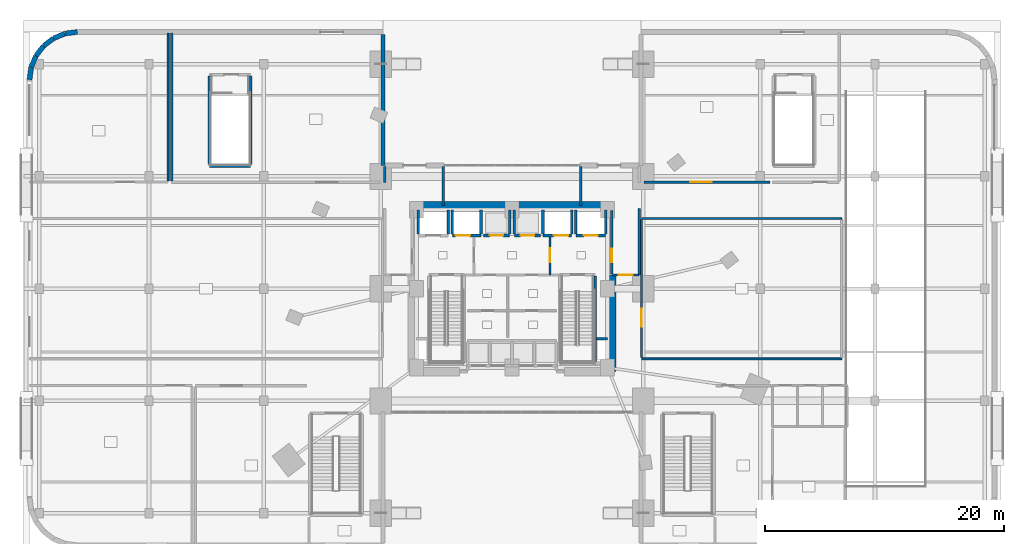
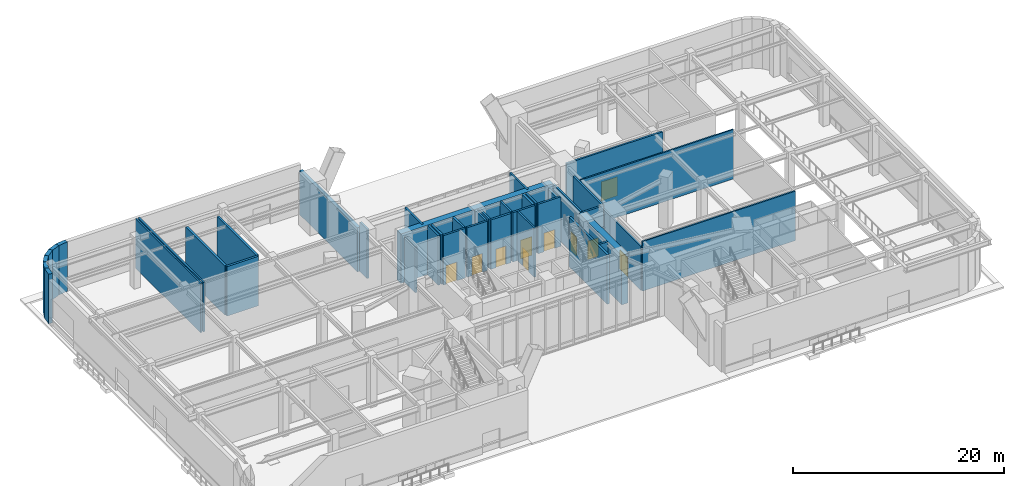
# One storey, part 19 of 27: 42 walls, 10 doors, 10 openings.
"""IFC4 building model written with IfcOpenShell, lengths in metres."""

from ifc_helpers import new_model, si_unit, direction, frame, frame_2d, origin, place, context, subcontext, project, spatial, rectangle, extrude, material, layer, layer_set, type_object, element, fill, save


model = new_model("IFC4")

# Units and contexts
model_context = context("Model", 3, precision=1e-05, world=origin(), true_north=direction((0.0, 1.0)))
body_context = subcontext(model_context, "Body", "Model", "MODEL_VIEW")
ifc_project = project(units=[si_unit("LENGTHUNIT", "METRE"), si_unit("AREAUNIT", "SQUARE_METRE"), si_unit("VOLUMEUNIT", "CUBIC_METRE"), si_unit("PLANEANGLEUNIT", "RADIAN"), si_unit("MASSUNIT", "GRAM", prefix="KILO")], contexts=[model_context])

# Site, building, storey
site_placement = place(None, origin())
site = spatial("IfcSite", under=ifc_project, at=site_placement, CompositionType="ELEMENT")
building_placement = place(site_placement, origin())
building = spatial("IfcBuilding", under=site, at=building_placement, Name="Ndelora Gate Hotel", CompositionType="ELEMENT")
storey_placement = place(building_placement, origin())
storey = spatial("IfcBuildingStorey", under=building, at=storey_placement, Name="L00", CompositionType="ELEMENT", Elevation=0.0)

# Walls
ifc_material_1 = material(Name="Clay Brick Masonry", Category="masonry")
ifc_layer_1 = layer(ifc_material_1, 0.360107421875)
ifc_layer_set_1 = layer_set([ifc_layer_1], Name="Clay Brick Masonry")
wall_type_1 = type_object("IfcWallType", Name="WL-BRICK-360", PredefinedType="SOLIDWALL", material=ifc_layer_set_1)
wall_1_placement = place(storey_placement, frame((-10.800048828125, 10.320068359375, 0.0), z_axis=(0.0, 0.0, 1.0), x_axis=(0.0, 1.0, 0.0)))
element("IfcWall", 1, at=wall_1_placement, inside=storey, type_object=wall_type_1, Name="L00 Portal Arch Brick Return Wall NW-RET", PredefinedType="SOLIDWALL", context=body_context, shape_type="SweptSolid", body=[
    extrude(rectangle(XDim=10.969970703125, YDim=0.360107421875, at=frame_2d((5.48486328125, 0.0))), origin(), (0.0, 0.0, 1.0), 5.10009765625),
])
ifc_layer_2 = layer(ifc_material_1, 0.419921875)
ifc_layer_set_2 = layer_set([ifc_layer_2], Name="Clay Brick Masonry")
wall_type_2 = type_object("IfcWallType", Name="WL-BRICK-420", PredefinedType="SOLIDWALL", material=ifc_layer_set_2)
wall_2_placement = place(storey_placement, frame((-37.435302734375, 21.36376953125, 0.0), z_axis=(0.0, 0.0, 1.0), x_axis=(0.991455091231, 0.130448465198, 0.0)))
element("IfcWall", 2, at=wall_2_placement, inside=storey, type_object=wall_type_2, Name="L00 Exterior Brick Pier-and-Spandrel Wall 16", PredefinedType="SOLIDWALL", context=body_context, shape_type="SweptSolid", body=[
    extrude(rectangle(XDim=1.04443359375, YDim=0.419921875, at=frame_2d((0.522216796875, 0.0))), origin(), (0.0, 0.0, 1.0), 5.719970703125),
])
wall_3_placement = place(storey_placement, frame((-38.39990234375, 20.964111328125, 0.0), z_axis=(0.0, 0.0, 1.0), x_axis=(0.923842970528, 0.382771688877, 0.0)))
element("IfcWall", 3, at=wall_3_placement, inside=storey, type_object=wall_type_2, Name="L00 Exterior Brick Pier-and-Spandrel Wall 17", PredefinedType="SOLIDWALL", context=body_context, shape_type="SweptSolid", body=[
    extrude(rectangle(XDim=1.044189453125, YDim=0.419921875, at=frame_2d((0.52197265625, 0.0))), origin(), (0.0, 0.0, 1.0), 5.719970703125),
])
wall_4_placement = place(storey_placement, frame((-39.228515625, 20.328369140625, 0.0), z_axis=(0.0, 0.0, 1.0), x_axis=(0.793388088797, 0.608716141198, 0.0)))
element("IfcWall", 4, at=wall_4_placement, inside=storey, type_object=wall_type_2, Name="L00 Exterior Brick Pier-and-Spandrel Wall 18", PredefinedType="SOLIDWALL", context=body_context, shape_type="SweptSolid", body=[
    extrude(rectangle(XDim=1.04443359375, YDim=0.419921875, at=frame_2d((0.522216796875, 0.0))), origin(), (0.0, 0.0, 1.0), 5.719970703125),
])
wall_5_placement = place(storey_placement, frame((-39.864013671875, 19.5, 0.0), z_axis=(0.0, 0.0, 1.0), x_axis=(0.608681879412, 0.793414374508, 0.0)))
element("IfcWall", 5, at=wall_5_placement, inside=storey, type_object=wall_type_2, Name="L00 Exterior Brick Pier-and-Spandrel Wall 19", PredefinedType="SOLIDWALL", context=body_context, shape_type="SweptSolid", body=[
    extrude(rectangle(XDim=1.0439453125, YDim=0.419921875, at=frame_2d((0.52197265625, 0.0))), origin(), (0.0, 0.0, 1.0), 5.719970703125),
])
wall_6_placement = place(storey_placement, frame((-40.263671875, 18.535400390625, 0.0), z_axis=(0.0, 0.0, 1.0), x_axis=(0.382771688877, 0.923842970528, 0.0)))
element("IfcWall", 6, at=wall_6_placement, inside=storey, type_object=wall_type_2, Name="L00 Exterior Brick Pier-and-Spandrel Wall 20", PredefinedType="SOLIDWALL", context=body_context, shape_type="SweptSolid", body=[
    extrude(rectangle(XDim=1.044189453125, YDim=0.419921875, at=frame_2d((0.52197265625, 0.0))), origin(), (0.0, 0.0, 1.0), 5.719970703125),
])
wall_7_placement = place(storey_placement, frame((-40.39990234375, 17.5, 0.0), z_axis=(0.0, 0.0, 1.0), x_axis=(0.130448465198, 0.991455091231, 0.0)))
element("IfcWall", 7, at=wall_7_placement, inside=storey, type_object=wall_type_2, Name="L00 Exterior Brick Pier-and-Spandrel Wall 21", PredefinedType="SOLIDWALL", context=body_context, shape_type="SweptSolid", body=[
    extrude(rectangle(XDim=1.04443359375, YDim=0.419921875, at=frame_2d((0.522216796875, 0.0))), origin(), (0.0, 0.0, 1.0), 5.719970703125),
])
ifc_material_2 = material(Name="Concrete C60/75", Category="concrete")
ifc_layer_3 = layer(ifc_material_2, 0.699951171875)
ifc_layer_set_3 = layer_set([ifc_layer_3], Name="Concrete C60/75")
wall_type_3 = type_object("IfcWallType", Name="WL-CORE-700", PredefinedType="SHEAR", material=ifc_layer_set_3)
wall_8_placement = place(storey_placement, frame((-8.35009765625, 6.949951171875, 0.0), z_axis=(0.0, 0.0, 1.0), x_axis=(1.0, 0.0, 0.0)))
element("IfcWall", 8, at=wall_8_placement, inside=storey, type_object=wall_type_3, Name="L00 Core Shear Wall N", PredefinedType="SHEAR", context=body_context, shape_type="SweptSolid", body=[
    extrude(rectangle(XDim=16.7001953125, YDim=0.699951171875, at=frame_2d((8.35009765625, 0.0))), origin(), (0.0, 0.0, 1.0), 5.719970703125),
])
wall_9_placement = place(storey_placement, frame((8.35009765625, -6.949951171875, 0.0), z_axis=(0.0, 0.0, 1.0), x_axis=(0.0, 1.0, 0.0)))
element("IfcWall", 9, at=wall_9_placement, inside=storey, type_object=wall_type_3, Name="L00 Core Shear Wall E", PredefinedType="SHEAR", context=body_context, shape_type="SweptSolid", body=[
    extrude(rectangle(XDim=8.099853515625, YDim=0.699951171875, at=frame_2d((4.0498046875, 0.0))), origin(), (0.0, 0.0, 1.0), 5.719970703125),
])

# Wall, opening, door
ifc_material_3 = material(Name="Concrete C40/50", Category="concrete")
ifc_layer_4 = layer(ifc_material_3, 0.199951171875)
ifc_layer_set_4 = layer_set([ifc_layer_4], Name="Concrete C40/50")
wall_type_4 = type_object("IfcWallType", Name="WL-FIRE-200", PredefinedType="PARTITIONING", material=ifc_layer_set_4)
wall_10_placement = place(storey_placement, frame((3.179931640625, 1.14990234375, 0.0), z_axis=(0.0, 0.0, 1.0), x_axis=(0.0, 1.0, 0.0)))
wall_10 = element("IfcWall", 10, at=wall_10_placement, inside=storey, type_object=wall_type_4, Name="L00 Interior Wall IW-2", PredefinedType="PARTITIONING", context=body_context, shape_type="SweptSolid", body=[
    extrude(rectangle(XDim=3.300048828125, YDim=0.199951171875, at=frame_2d((1.64990234375, 0.0))), origin(), (0.0, 0.0, 1.0), 5.719970703125),
])
opening_1_placement = place(wall_10_placement, frame((1.080078125, 0.0, 0.0)))
opening_1 = element("IfcOpeningElement", 11, at=opening_1_placement, cuts=wall_10, Name="Opening FD1", PredefinedType="OPENING", context=body_context, shape_type="SweptSolid", body=[
    extrude(rectangle(XDim=1.14990234375, YDim=2.14990234375, at=frame_2d((0.574951171875, 1.074951171875))), frame((0.0, 0.10986328125, 0.0), z_axis=(0.0, -1.0, 0.0), x_axis=(1.0, 0.0, 0.0)), (0.0, 0.0, 1.0), 0.219970703125),
])
ifc_material_4 = material(Name="Fire-Rated Timber-Veneer Steel Core", Category="steel")
door_type_1 = type_object("IfcDoorType", Name="DR-FD60", OperationType="SINGLE_SWING_LEFT", PredefinedType="DOOR", material=ifc_material_4)
door_1_placement = place(opening_1_placement, origin())
door_1 = element("IfcDoor", 12, at=door_1_placement, inside=storey, type_object=door_type_1, Name="L00 Firefighting Lobby East Door", OperationType="SINGLE_SWING_LEFT", OverallHeight=2.14990234375, OverallWidth=1.14990234375, PredefinedType="DOOR", context=body_context, shape_type="SweptSolid", body=[
    extrude(rectangle(XDim=1.14990234375, YDim=2.14990234375, at=frame_2d((0.574951171875, 1.074951171875))), frame((0.0, 0.02490234375, 0.0), z_axis=(0.0, -1.0, 0.0), x_axis=(1.0, 0.0, 0.0)), (0.0, 0.0, 1.0), 0.050048828125),
])
fill(opening_1, door_1)

wall_11_placement = place(storey_placement, frame((8.35009765625, 1.25, 0.0), z_axis=(0.0, 0.0, 1.0), x_axis=(0.0, 1.0, 0.0)))
wall_11 = element("IfcWall", 13, at=wall_11_placement, inside=storey, type_object=wall_type_4, Name="L00 Interior Wall IW-2", PredefinedType="PARTITIONING", context=body_context, shape_type="SweptSolid", body=[
    extrude(rectangle(XDim=5.300048828125, YDim=0.199951171875, at=frame_2d((2.64990234375, 0.0))), origin(), (0.0, 0.0, 1.0), 5.719970703125),
])
opening_2_placement = place(wall_11_placement, frame((0.949951171875, 0.0, 0.0)))
opening_2 = element("IfcOpeningElement", 14, at=opening_2_placement, cuts=wall_11, Name="Opening FD1", PredefinedType="OPENING", context=body_context, shape_type="SweptSolid", body=[
    extrude(rectangle(XDim=1.14990234375, YDim=2.14990234375, at=frame_2d((0.574951171875, 1.074951171875))), frame((0.0, 0.10986328125, 0.0), z_axis=(0.0, -1.0, 0.0), x_axis=(1.0, 0.0, 0.0)), (0.0, 0.0, 1.0), 0.219970703125),
])
door_2_placement = place(opening_2_placement, origin())
door_2 = element("IfcDoor", 15, at=door_2_placement, inside=storey, type_object=door_type_1, Name="L00 Firefighting Lobby East Corridor Door", OperationType="SINGLE_SWING_RIGHT", OverallHeight=2.14990234375, OverallWidth=1.14990234375, PredefinedType="DOOR", context=body_context, shape_type="SweptSolid", body=[
    extrude(rectangle(XDim=1.14990234375, YDim=2.14990234375, at=frame_2d((0.574951171875, 1.074951171875))), frame((0.0, 0.02490234375, 0.0), z_axis=(0.0, -1.0, 0.0), x_axis=(1.0, 0.0, 0.0)), (0.0, 0.0, 1.0), 0.050048828125),
])
fill(opening_2, door_2)

# Wall
wall_12_placement = place(storey_placement, frame((-28.5, 21.39990234375, 0.0), z_axis=(0.0, 0.0, 1.0), x_axis=(0.0, -1.0, 0.0)))
element("IfcWall", 16, at=wall_12_placement, inside=storey, type_object=wall_type_4, Name="L00 Interior Wall IW-2", PredefinedType="PARTITIONING", context=body_context, shape_type="SweptSolid", body=[
    extrude(rectangle(XDim=12.3798828125, YDim=0.199951171875, at=frame_2d((6.18994140625, 0.0))), origin(), (0.0, 0.0, 1.0), 5.719970703125),
])

# Wall, opening, door
wall_13_placement = place(storey_placement, frame((11.050048828125, 8.919921875, 0.0), z_axis=(0.0, 0.0, 1.0), x_axis=(1.0, 0.0, 0.0)))
wall_13 = element("IfcWall", 17, at=wall_13_placement, inside=storey, type_object=wall_type_4, Name="L00 Interior Wall IW-2", PredefinedType="PARTITIONING", context=body_context, shape_type="SweptSolid", body=[
    extrude(rectangle(XDim=10.550048828125, YDim=0.199951171875, at=frame_2d((5.27490234375, 0.0))), origin(), (0.0, 0.0, 1.0), 5.719970703125),
])
opening_3_placement = place(wall_13_placement, frame((3.860107421875, 0.0, 0.0)))
opening_3 = element("IfcOpeningElement", 18, at=opening_3_placement, cuts=wall_13, Name="Opening FD2", PredefinedType="OPENING", context=body_context, shape_type="SweptSolid", body=[
    extrude(rectangle(XDim=1.800048828125, YDim=2.199951171875, at=frame_2d((0.89990234375, 1.10009765625))), frame((0.0, 0.10986328125, 0.0), z_axis=(0.0, -1.0, 0.0), x_axis=(1.0, 0.0, 0.0)), (0.0, 0.0, 1.0), 0.219970703125),
])
ifc_material_5 = material(Name="Fire-Rated Double Exit Door", Category="wood")
door_type_2 = type_object("IfcDoorType", Name="DR-DBL-1800", OperationType="DOUBLE_DOOR_SINGLE_SWING", PredefinedType="DOOR", material=ifc_material_5)
door_3_placement = place(opening_3_placement, origin())
door_3 = element("IfcDoor", 19, at=door_3_placement, inside=storey, type_object=door_type_2, Name="L00 Brasserie Production Kitchen Door", OperationType="DOUBLE_DOOR_SINGLE_SWING", OverallHeight=2.199951171875, OverallWidth=1.800048828125, PredefinedType="DOOR", context=body_context, shape_type="SweptSolid", body=[
    extrude(rectangle(XDim=1.800048828125, YDim=2.199951171875, at=frame_2d((0.89990234375, 1.10009765625))), frame((0.0, 0.02490234375, 0.0), z_axis=(0.0, -1.0, 0.0), x_axis=(1.0, 0.0, 0.0)), (0.0, 0.0, 1.0), 0.050048828125),
])
fill(opening_3, door_3)

# Walls
wall_14_placement = place(storey_placement, frame((-5.75, 6.97998046875, 0.0), z_axis=(0.0, 0.0, 1.0), x_axis=(0.0, 1.0, 0.0)))
element("IfcWall", 20, at=wall_14_placement, inside=storey, type_object=wall_type_4, Name="L00 Interior Wall IW-2", PredefinedType="PARTITIONING", context=body_context, shape_type="SweptSolid", body=[
    extrude(rectangle(XDim=3.27001953125, YDim=0.199951171875, at=frame_2d((1.635009765625, 0.0))), origin(), (0.0, 0.0, 1.0), 5.719970703125),
])
wall_15_placement = place(storey_placement, frame((-10.64990234375, 10.25, 0.0), z_axis=(0.0, 0.0, 1.0), x_axis=(0.0, -1.0, 0.0)))
element("IfcWall", 21, at=wall_15_placement, inside=storey, type_object=wall_type_4, Name="L00 Interior Wall IW-2", PredefinedType="PARTITIONING", context=body_context, shape_type="SweptSolid", body=[
    extrude(rectangle(XDim=1.3701171875, YDim=0.199951171875, at=frame_2d((0.68505859375, 0.0))), origin(), (0.0, 0.0, 1.0), 5.719970703125),
])
wall_16_placement = place(storey_placement, frame((5.75, 10.25, 0.0), z_axis=(0.0, 0.0, 1.0), x_axis=(0.0, -1.0, 0.0)))
element("IfcWall", 22, at=wall_16_placement, inside=storey, type_object=wall_type_4, Name="L00 Interior Wall IW-2", PredefinedType="PARTITIONING", context=body_context, shape_type="SweptSolid", body=[
    extrude(rectangle(XDim=3.27001953125, YDim=0.199951171875, at=frame_2d((1.635009765625, 0.0))), origin(), (0.0, 0.0, 1.0), 5.719970703125),
])
wall_17_placement = place(storey_placement, frame((10.64990234375, 1.14990234375, 0.0), z_axis=(0.0, 0.0, 1.0), x_axis=(0.0, 1.0, 0.0)))
element("IfcWall", 23, at=wall_17_placement, inside=storey, type_object=wall_type_4, Name="L00 Interior Wall IW-2", PredefinedType="PARTITIONING", context=body_context, shape_type="SweptSolid", body=[
    extrude(rectangle(XDim=5.570068359375, YDim=0.199951171875, at=frame_2d((2.78515625, 0.0))), origin(), (0.0, 0.0, 1.0), 5.719970703125),
])

# Wall, opening, door
wall_18_placement = place(storey_placement, frame((8.39990234375, 1.14990234375, 0.0), z_axis=(0.0, 0.0, 1.0), x_axis=(1.0, 0.0, 0.0)))
wall_18 = element("IfcWall", 24, at=wall_18_placement, inside=storey, type_object=wall_type_4, Name="L00 Interior Wall IW-2", PredefinedType="PARTITIONING", context=body_context, shape_type="SweptSolid", body=[
    extrude(rectangle(XDim=2.25, YDim=0.199951171875, at=frame_2d((1.125, 0.0))), origin(), (0.0, 0.0, 1.0), 5.719970703125),
])
opening_4_placement = place(wall_18_placement, frame((0.550048828125, 0.0, 0.0)))
opening_4 = element("IfcOpeningElement", 25, at=opening_4_placement, cuts=wall_18, Name="Opening FD1", PredefinedType="OPENING", context=body_context, shape_type="SweptSolid", body=[
    extrude(rectangle(XDim=1.14990234375, YDim=2.14990234375, at=frame_2d((0.574951171875, 1.074951171875))), frame((0.0, 0.10986328125, 0.0), z_axis=(0.0, -1.0, 0.0), x_axis=(1.0, 0.0, 0.0)), (0.0, 0.0, 1.0), 0.219970703125),
])
door_4_placement = place(opening_4_placement, origin())
door_4 = element("IfcDoor", 26, at=door_4_placement, inside=storey, type_object=door_type_1, Name="L00 Core Protected Exit Passage East Door", OperationType="SINGLE_SWING_RIGHT", OverallHeight=2.14990234375, OverallWidth=1.14990234375, PredefinedType="DOOR", context=body_context, shape_type="SweptSolid", body=[
    extrude(rectangle(XDim=1.14990234375, YDim=2.14990234375, at=frame_2d((0.574951171875, 1.074951171875))), frame((0.0, 0.02490234375, 0.0), z_axis=(0.0, -1.0, 0.0), x_axis=(1.0, 0.0, 0.0)), (0.0, 0.0, 1.0), 0.050048828125),
])
fill(opening_4, door_4)

# Walls
ifc_material_6 = material(Name="Fire-Rated Gypsum Stud Partition", Category="gypsum")
ifc_layer_5 = layer(ifc_material_6, 0.159912109375)
ifc_layer_set_5 = layer_set([ifc_layer_5], Name="Fire-Rated Gypsum Stud Partition")
wall_type_5 = type_object("IfcWallType", Name="WL-PART-160", PredefinedType="PARTITIONING", material=ifc_layer_set_5)
for number, where, z_axis, x_axis, name in (
    (27, (27.60009765625, 5.8798828125, 0.0), (0.0, 0.0, 1.0), (-1.0, 0.0, 0.0), "L00 Interior Wall IW-4"),
    (28, (10.85009765625, -5.8798828125, 0.0), (0.0, 0.0, 1.0), (1.0, 0.0, 0.0), "L00 Interior Wall IW-4"),
):
    element("IfcWall", number, at=place(storey_placement, frame(where, z_axis=z_axis, x_axis=x_axis)), inside=storey, type_object=wall_type_5, Name=name, PredefinedType="PARTITIONING", context=body_context, shape_type="SweptSolid", body=[
        extrude(rectangle(XDim=16.75, YDim=0.159912109375, at=frame_2d((8.375, 0.0))), origin(), (0.0, 0.0, 1.0), 5.719970703125),
    ])

# Wall, opening, door
wall_19_placement = place(storey_placement, frame((10.85009765625, 5.780029296875, 0.0), z_axis=(0.0, 0.0, 1.0), x_axis=(0.0, -1.0, 0.0)))
wall_19 = element("IfcWall", 29, at=wall_19_placement, inside=storey, type_object=wall_type_5, Name="L00 Interior Wall IW-4", PredefinedType="PARTITIONING", context=body_context, shape_type="SweptSolid", body=[
    extrude(rectangle(XDim=11.56005859375, YDim=0.159912109375, at=frame_2d((5.780029296875, 0.0))), origin(), (0.0, 0.0, 1.0), 5.10009765625),
])
opening_5_placement = place(wall_19_placement, frame((7.4599609375, 0.0, 0.0)))
opening_5 = element("IfcOpeningElement", 30, at=opening_5_placement, cuts=wall_19, Name="Opening D06", PredefinedType="OPENING", context=body_context, shape_type="SweptSolid", body=[
    extrude(rectangle(XDim=1.5, YDim=2.199951171875, at=frame_2d((0.75, 1.10009765625))), frame((0.0, 0.08984375, 0.0), z_axis=(0.0, -1.0, 0.0), x_axis=(1.0, 0.0, 0.0)), (0.0, 0.0, 1.0), 0.179931640625),
])
ifc_material_7 = material(Name="Podium Salon Double Leaf Door", Category="wood")
door_type_3 = type_object("IfcDoorType", Name="DR-POD-1500", OperationType="DOUBLE_DOOR_SINGLE_SWING", PredefinedType="DOOR", material=ifc_material_7)
door_5_placement = place(opening_5_placement, origin())
door_5 = element("IfcDoor", 31, at=door_5_placement, inside=storey, type_object=door_type_3, Name="L00 All-Day Highland Brasserie Dining Door", OperationType="DOUBLE_DOOR_SINGLE_SWING", OverallHeight=2.199951171875, OverallWidth=1.5, PredefinedType="DOOR", context=body_context, shape_type="SweptSolid", body=[
    extrude(rectangle(XDim=1.5, YDim=2.199951171875, at=frame_2d((0.75, 1.10009765625))), frame((0.0, 0.02490234375, 0.0), z_axis=(0.0, -1.0, 0.0), x_axis=(1.0, 0.0, 0.0)), (0.0, 0.0, 1.0), 0.050048828125),
])
fill(opening_5, door_5)

# Walls
wall_20_placement = place(storey_placement, frame((-28.800048828125, 9.02001953125, 0.0), z_axis=(0.0, 0.0, 1.0), x_axis=(0.0, 1.0, 0.0)))
element("IfcWall", 32, at=wall_20_placement, inside=storey, type_object=wall_type_5, Name="L00 Interior Wall IW-4", PredefinedType="PARTITIONING", context=body_context, shape_type="SweptSolid", body=[
    extrude(rectangle(XDim=12.3798828125, YDim=0.159912109375, at=frame_2d((6.18994140625, 0.0))), origin(), (0.0, 0.0, 1.0), 5.719970703125),
])
ifc_layer_6 = layer(ifc_material_3, 0.219970703125)
ifc_layer_set_6 = layer_set([ifc_layer_6], Name="Concrete C40/50")
wall_type_6 = type_object("IfcWallType", Name="WL-SHAFT-220", PredefinedType="PARTITIONING", material=ifc_layer_set_6)
wall_21_placement = place(storey_placement, frame((7.090087890625, -4.199951171875, 0.0), z_axis=(0.0, 0.0, 1.0), x_axis=(1.0, 0.0, 0.0)))
element("IfcWall", 33, at=wall_21_placement, inside=storey, type_object=wall_type_6, Name="L00 Interior Wall IW-1", PredefinedType="PARTITIONING", context=body_context, shape_type="SweptSolid", body=[
    extrude(rectangle(XDim=0.909912109375, YDim=0.219970703125, at=frame_2d((0.455078125, 0.0))), origin(), (0.0, 0.0, 1.0), 5.719970703125),
])
wall_22_placement = place(storey_placement, frame((-7.85009765625, 4.570068359375, 0.0), z_axis=(0.0, 0.0, 1.0), x_axis=(0.0, 1.0, 0.0)))
element("IfcWall", 34, at=wall_22_placement, inside=storey, type_object=wall_type_6, Name="L00 Interior Wall IW-1", PredefinedType="PARTITIONING", context=body_context, shape_type="SweptSolid", body=[
    extrude(rectangle(XDim=2.030029296875, YDim=0.219970703125, at=frame_2d((1.01513671875, 0.0))), origin(), (0.0, 0.0, 1.0), 5.300048828125),
])
wall_23_placement = place(storey_placement, frame((-5.35009765625, 4.570068359375, 0.0), z_axis=(0.0, 0.0, 1.0), x_axis=(0.0, 1.0, 0.0)))
element("IfcWall", 35, at=wall_23_placement, inside=storey, type_object=wall_type_6, Name="L00 Interior Wall IW-1", PredefinedType="PARTITIONING", context=body_context, shape_type="SweptSolid", body=[
    extrude(rectangle(XDim=2.030029296875, YDim=0.219970703125, at=frame_2d((1.01513671875, 0.0))), origin(), (0.0, 0.0, 1.0), 5.719970703125),
])

# Wall, opening, door
wall_24_placement = place(storey_placement, frame((5.35009765625, 4.449951171875, 0.0), z_axis=(0.0, 0.0, 1.0), x_axis=(1.0, 0.0, 0.0)))
wall_24 = element("IfcWall", 36, at=wall_24_placement, inside=storey, type_object=wall_type_6, Name="L00 Interior Wall IW-1", PredefinedType="PARTITIONING", context=body_context, shape_type="SweptSolid", body=[
    extrude(rectangle(XDim=2.5, YDim=0.219970703125, at=frame_2d((1.25, 0.0))), origin(), (0.0, 0.0, 1.0), 5.719970703125),
])
opening_6_placement = place(wall_24_placement, frame((0.659912109375, 0.0, 0.0)))
opening_6 = element("IfcOpeningElement", 37, at=opening_6_placement, cuts=wall_24, Name="Opening LD5", PredefinedType="OPENING", context=body_context, shape_type="SweptSolid", body=[
    extrude(rectangle(XDim=1.179931640625, YDim=2.14990234375, at=frame_2d((0.58984375, 1.074951171875))), frame((0.0, 0.1201171875, 0.0), z_axis=(0.0, -1.0, 0.0), x_axis=(1.0, 0.0, 0.0)), (0.0, 0.0, 1.0), 0.239990234375),
])
ifc_material_8 = material(Name="Firefighting Lift Stainless Sliding Landing Door", Category="metal")
door_type_4 = type_object("IfcDoorType", Name="DR-LD5", OperationType="DOUBLE_DOOR_SLIDING", PredefinedType="DOOR", material=ifc_material_8)
door_6_placement = place(opening_6_placement, origin())
door_6 = element("IfcDoor", 38, at=door_6_placement, inside=storey, type_object=door_type_4, Name="L00 Lift Landing Sliding Door FFL2", OperationType="DOUBLE_DOOR_SLIDING", OverallHeight=2.14990234375, OverallWidth=1.179931640625, PredefinedType="DOOR", context=body_context, shape_type="SweptSolid", body=[
    extrude(rectangle(XDim=1.179931640625, YDim=2.14990234375, at=frame_2d((0.58984375, 1.074951171875))), frame((0.0, 0.02490234375, 0.0), z_axis=(0.0, -1.0, 0.0), x_axis=(1.0, 0.0, 0.0)), (0.0, 0.0, 1.0), 0.050048828125),
])
fill(opening_6, door_6)

# Walls
wall_25_placement = place(storey_placement, frame((5.35009765625, 4.570068359375, 0.0), z_axis=(0.0, 0.0, 1.0), x_axis=(0.0, 1.0, 0.0)))
element("IfcWall", 39, at=wall_25_placement, inside=storey, type_object=wall_type_6, Name="L00 Interior Wall IW-1", PredefinedType="PARTITIONING", context=body_context, shape_type="SweptSolid", body=[
    extrude(rectangle(XDim=2.030029296875, YDim=0.219970703125, at=frame_2d((1.01513671875, 0.0))), origin(), (0.0, 0.0, 1.0), 5.719970703125),
])
wall_26_placement = place(storey_placement, frame((7.85009765625, 4.570068359375, 0.0), z_axis=(0.0, 0.0, 1.0), x_axis=(0.0, 1.0, 0.0)))
element("IfcWall", 40, at=wall_26_placement, inside=storey, type_object=wall_type_6, Name="L00 Interior Wall IW-1", PredefinedType="PARTITIONING", context=body_context, shape_type="SweptSolid", body=[
    extrude(rectangle(XDim=2.030029296875, YDim=0.219970703125, at=frame_2d((1.01513671875, 0.0))), origin(), (0.0, 0.0, 1.0), 5.300048828125),
])

# Wall, opening, door
wall_27_placement = place(storey_placement, frame((-5.0, 4.449951171875, 0.0), z_axis=(0.0, 0.0, 1.0), x_axis=(1.0, 0.0, 0.0)))
wall_27 = element("IfcWall", 41, at=wall_27_placement, inside=storey, type_object=wall_type_6, Name="L00 Interior Wall IW-1", PredefinedType="PARTITIONING", context=body_context, shape_type="SweptSolid", body=[
    extrude(rectangle(XDim=2.39990234375, YDim=0.219970703125, at=frame_2d((1.199951171875, 0.0))), origin(), (0.0, 0.0, 1.0), 5.719970703125),
])
opening_7_placement = place(wall_27_placement, frame((0.280029296875, 0.0, 0.0)))
opening_7 = element("IfcOpeningElement", 42, at=opening_7_placement, cuts=wall_27, Name="Opening LD6", PredefinedType="OPENING", context=body_context, shape_type="SweptSolid", body=[
    extrude(rectangle(XDim=1.219970703125, YDim=2.14990234375, at=frame_2d((0.60986328125, 1.074951171875))), frame((0.0, 0.1201171875, 0.0), z_axis=(0.0, -1.0, 0.0), x_axis=(1.0, 0.0, 0.0)), (0.0, 0.0, 1.0), 0.239990234375),
])
ifc_material_9 = material(Name="Heavy-Duty Service Lift Sliding Landing Door", Category="wood")
door_type_5 = type_object("IfcDoorType", Name="DR-LD6", OperationType="DOUBLE_DOOR_SLIDING", PredefinedType="DOOR", material=ifc_material_9)
door_7_placement = place(opening_7_placement, origin())
door_7 = element("IfcDoor", 43, at=door_7_placement, inside=storey, type_object=door_type_5, Name="L00 Lift Landing Sliding Door SVL1", OperationType="DOUBLE_DOOR_SLIDING", OverallHeight=2.14990234375, OverallWidth=1.219970703125, PredefinedType="DOOR", context=body_context, shape_type="SweptSolid", body=[
    extrude(rectangle(XDim=1.219970703125, YDim=2.14990234375, at=frame_2d((0.60986328125, 1.074951171875))), frame((0.0, 0.02490234375, 0.0), z_axis=(0.0, -1.0, 0.0), x_axis=(1.0, 0.0, 0.0)), (0.0, 0.0, 1.0), 0.050048828125),
])
fill(opening_7, door_7)

# Walls
for number, where, z_axis, x_axis, name in (
    (44, (-5.0, 4.570068359375, 0.0), (0.0, 0.0, 1.0), (0.0, 1.0, 0.0), "L00 Interior Wall IW-1"),
    (45, (-2.60009765625, 4.570068359375, 0.0), (0.0, 0.0, 1.0), (0.0, 1.0, 0.0), "L00 Interior Wall IW-1"),
):
    element("IfcWall", number, at=place(storey_placement, frame(where, z_axis=z_axis, x_axis=x_axis)), inside=storey, type_object=wall_type_6, Name=name, PredefinedType="PARTITIONING", context=body_context, shape_type="SweptSolid", body=[
        extrude(rectangle(XDim=2.030029296875, YDim=0.219970703125, at=frame_2d((1.01513671875, 0.0))), origin(), (0.0, 0.0, 1.0), 5.719970703125),
    ])

# Wall, opening, door
wall_28_placement = place(storey_placement, frame((2.60009765625, 4.449951171875, 0.0), z_axis=(0.0, 0.0, 1.0), x_axis=(1.0, 0.0, 0.0)))
wall_28 = element("IfcWall", 46, at=wall_28_placement, inside=storey, type_object=wall_type_6, Name="L00 Interior Wall IW-1", PredefinedType="PARTITIONING", context=body_context, shape_type="SweptSolid", body=[
    extrude(rectangle(XDim=2.39990234375, YDim=0.219970703125, at=frame_2d((1.199951171875, 0.0))), origin(), (0.0, 0.0, 1.0), 5.719970703125),
])
opening_8_placement = place(wall_28_placement, frame((0.89990234375, 0.0, 0.0)))
opening_8 = element("IfcOpeningElement", 47, at=opening_8_placement, cuts=wall_28, Name="Opening LD6", PredefinedType="OPENING", context=body_context, shape_type="SweptSolid", body=[
    extrude(rectangle(XDim=1.219970703125, YDim=2.14990234375, at=frame_2d((0.60986328125, 1.074951171875))), frame((0.0, 0.1201171875, 0.0), z_axis=(0.0, -1.0, 0.0), x_axis=(1.0, 0.0, 0.0)), (0.0, 0.0, 1.0), 0.239990234375),
])
door_8_placement = place(opening_8_placement, origin())
door_8 = element("IfcDoor", 48, at=door_8_placement, inside=storey, type_object=door_type_5, Name="L00 Lift Landing Sliding Door SVL2", OperationType="DOUBLE_DOOR_SLIDING", OverallHeight=2.14990234375, OverallWidth=1.219970703125, PredefinedType="DOOR", context=body_context, shape_type="SweptSolid", body=[
    extrude(rectangle(XDim=1.219970703125, YDim=2.14990234375, at=frame_2d((0.60986328125, 1.074951171875))), frame((0.0, 0.02490234375, 0.0), z_axis=(0.0, -1.0, 0.0), x_axis=(1.0, 0.0, 0.0)), (0.0, 0.0, 1.0), 0.050048828125),
])
fill(opening_8, door_8)

# Walls
for number, where, z_axis, x_axis, name in (
    (49, (2.60009765625, 4.570068359375, 0.0), (0.0, 0.0, 1.0), (0.0, 1.0, 0.0), "L00 Interior Wall IW-1"),
    (50, (5.0, 4.570068359375, 0.0), (0.0, 0.0, 1.0), (0.0, 1.0, 0.0), "L00 Interior Wall IW-1"),
):
    element("IfcWall", number, at=place(storey_placement, frame(where, z_axis=z_axis, x_axis=x_axis)), inside=storey, type_object=wall_type_6, Name=name, PredefinedType="PARTITIONING", context=body_context, shape_type="SweptSolid", body=[
        extrude(rectangle(XDim=2.030029296875, YDim=0.219970703125, at=frame_2d((1.01513671875, 0.0))), origin(), (0.0, 0.0, 1.0), 5.719970703125),
    ])

# Wall, opening, door
wall_29_placement = place(storey_placement, frame((-2.39990234375, 4.449951171875, 0.0), z_axis=(0.0, 0.0, 1.0), x_axis=(1.0, 0.0, 0.0)))
wall_29 = element("IfcWall", 51, at=wall_29_placement, inside=storey, type_object=wall_type_6, Name="L00 Interior Wall IW-1", PredefinedType="PARTITIONING", context=body_context, shape_type="SweptSolid", body=[
    extrude(rectangle(XDim=2.199951171875, YDim=0.219970703125, at=frame_2d((1.10009765625, 0.0))), origin(), (0.0, 0.0, 1.0), 5.719970703125),
])
opening_9_placement = place(wall_29_placement, frame((0.5400390625, 0.0, 0.0)))
opening_9 = element("IfcOpeningElement", 52, at=opening_9_placement, cuts=wall_29, Name="Opening LD3", PredefinedType="OPENING", context=body_context, shape_type="SweptSolid", body=[
    extrude(rectangle(XDim=1.1201171875, YDim=2.14990234375, at=frame_2d((0.56005859375, 1.074951171875))), frame((0.0, 0.1201171875, 0.0), z_axis=(0.0, -1.0, 0.0), x_axis=(1.0, 0.0, 0.0)), (0.0, 0.0, 1.0), 0.239990234375),
])
ifc_material_10 = material(Name="Brushed Bronze Stainless Lift Landing Door", Category="metal")
door_type_6 = type_object("IfcDoorType", Name="DR-LD3", OperationType="DOUBLE_DOOR_SLIDING", PredefinedType="DOOR", material=ifc_material_10)
door_9_placement = place(opening_9_placement, origin())
door_9 = element("IfcDoor", 53, at=door_9_placement, inside=storey, type_object=door_type_6, Name="L00 Lift Landing Sliding Door P3A", OperationType="DOUBLE_DOOR_SLIDING", OverallHeight=2.14990234375, OverallWidth=1.1201171875, PredefinedType="DOOR", context=body_context, shape_type="SweptSolid", body=[
    extrude(rectangle(XDim=1.1201171875, YDim=2.14990234375, at=frame_2d((0.56005859375, 1.074951171875))), frame((0.0, 0.02490234375, 0.0), z_axis=(0.0, -1.0, 0.0), x_axis=(1.0, 0.0, 0.0)), (0.0, 0.0, 1.0), 0.050048828125),
])
fill(opening_9, door_9)

# Wall
wall_30_placement = place(storey_placement, frame((-0.199951171875, 4.570068359375, 0.0), z_axis=(0.0, 0.0, 1.0), x_axis=(0.0, 1.0, 0.0)))
element("IfcWall", 54, at=wall_30_placement, inside=storey, type_object=wall_type_6, Name="L00 Interior Wall IW-1", PredefinedType="PARTITIONING", context=body_context, shape_type="SweptSolid", body=[
    extrude(rectangle(XDim=2.030029296875, YDim=0.219970703125, at=frame_2d((1.01513671875, 0.0))), origin(), (0.0, 0.0, 1.0), 5.719970703125),
])

# Wall, opening, door
wall_31_placement = place(storey_placement, frame((0.199951171875, 4.449951171875, 0.0), z_axis=(0.0, 0.0, 1.0), x_axis=(1.0, 0.0, 0.0)))
wall_31 = element("IfcWall", 55, at=wall_31_placement, inside=storey, type_object=wall_type_6, Name="L00 Interior Wall IW-1", PredefinedType="PARTITIONING", context=body_context, shape_type="SweptSolid", body=[
    extrude(rectangle(XDim=2.199951171875, YDim=0.219970703125, at=frame_2d((1.10009765625, 0.0))), origin(), (0.0, 0.0, 1.0), 5.719970703125),
])
opening_10_placement = place(wall_31_placement, frame((0.530029296875, 0.0, 0.0)))
opening_10 = element("IfcOpeningElement", 56, at=opening_10_placement, cuts=wall_31, Name="Opening LD4", PredefinedType="OPENING", context=body_context, shape_type="SweptSolid", body=[
    extrude(rectangle(XDim=1.139892578125, YDim=2.14990234375, at=frame_2d((0.56982421875, 1.074951171875))), frame((0.0, 0.1201171875, 0.0), z_axis=(0.0, -1.0, 0.0), x_axis=(1.0, 0.0, 0.0)), (0.0, 0.0, 1.0), 0.239990234375),
])
door_type_7 = type_object("IfcDoorType", Name="DR-LD4", OperationType="DOUBLE_DOOR_SLIDING", PredefinedType="DOOR", material=ifc_material_10)
door_10_placement = place(opening_10_placement, origin())
door_10 = element("IfcDoor", 57, at=door_10_placement, inside=storey, type_object=door_type_7, Name="L00 Lift Landing Sliding Door EX1", OperationType="DOUBLE_DOOR_SLIDING", OverallHeight=2.14990234375, OverallWidth=1.139892578125, PredefinedType="DOOR", context=body_context, shape_type="SweptSolid", body=[
    extrude(rectangle(XDim=1.139892578125, YDim=2.14990234375, at=frame_2d((0.56982421875, 1.074951171875))), frame((0.0, 0.02490234375, 0.0), z_axis=(0.0, -1.0, 0.0), x_axis=(1.0, 0.0, 0.0)), (0.0, 0.0, 1.0), 0.050048828125),
])
fill(opening_10, door_10)

# Walls
wall_32_placement = place(storey_placement, frame((0.199951171875, 4.570068359375, 0.0), z_axis=(0.0, 0.0, 1.0), x_axis=(0.0, 1.0, 0.0)))
element("IfcWall", 58, at=wall_32_placement, inside=storey, type_object=wall_type_6, Name="L00 Interior Wall IW-1", PredefinedType="PARTITIONING", context=body_context, shape_type="SweptSolid", body=[
    extrude(rectangle(XDim=2.030029296875, YDim=0.219970703125, at=frame_2d((1.01513671875, 0.0))), origin(), (0.0, 0.0, 1.0), 5.719970703125),
])
ifc_material_11 = material(Name="Concrete C50/60", Category="concrete")
ifc_layer_7 = layer(ifc_material_11, 0.239990234375)
ifc_layer_set_7 = layer_set([ifc_layer_7], Name="Concrete C50/60")
wall_type_7 = type_object("IfcWallType", Name="WL-STAIR-240", PredefinedType="SHEAR", material=ifc_layer_set_7)
wall_33_placement = place(storey_placement, frame((6.969970703125, -6.159912109375, 0.0), z_axis=(0.0, 0.0, 1.0), x_axis=(0.0, 1.0, 0.0)))
element("IfcWall", 59, at=wall_33_placement, inside=storey, type_object=wall_type_7, Name="L00 Stair Core Shear Wall SW-ST", PredefinedType="SHEAR", context=body_context, shape_type="SweptSolid", body=[
    extrude(rectangle(XDim=7.219970703125, YDim=0.239990234375, at=frame_2d((3.60986328125, 0.0))), origin(), (0.0, 0.0, 1.0), 5.719970703125),
])
for number, where, z_axis, x_axis, name in (
    (60, (-25.320068359375, 10.389892578125, 0.0), (0.0, 0.0, 1.0), (0.0, 1.0, 0.0), "L00 Stair Core Shear Wall SW-ST"),
    (61, (-21.8798828125, 10.389892578125, 0.0), (0.0, 0.0, 1.0), (0.0, 1.0, 0.0), "L00 Stair Core Shear Wall SW-ST"),
):
    element("IfcWall", number, at=place(storey_placement, frame(where, z_axis=z_axis, x_axis=x_axis)), inside=storey, type_object=wall_type_7, Name=name, PredefinedType="SHEAR", context=body_context, shape_type="SweptSolid", body=[
        extrude(rectangle(XDim=7.420166015625, YDim=0.239990234375, at=frame_2d((3.7099609375, 0.0))), origin(), (0.0, 0.0, 1.0), 5.719970703125),
    ])
wall_34_placement = place(storey_placement, frame((-25.320068359375, 10.280029296875, 0.0), z_axis=(0.0, 0.0, 1.0), x_axis=(1.0, 0.0, 0.0)))
element("IfcWall", 62, at=wall_34_placement, inside=storey, type_object=wall_type_7, Name="L00 Stair Core Shear Wall SW-ST", PredefinedType="SHEAR", context=body_context, shape_type="SweptSolid", body=[
    extrude(rectangle(XDim=3.440185546875, YDim=0.239990234375, at=frame_2d((1.72021484375, 0.0))), origin(), (0.0, 0.0, 1.0), 5.719970703125),
])

save(model, "model.ifc")
